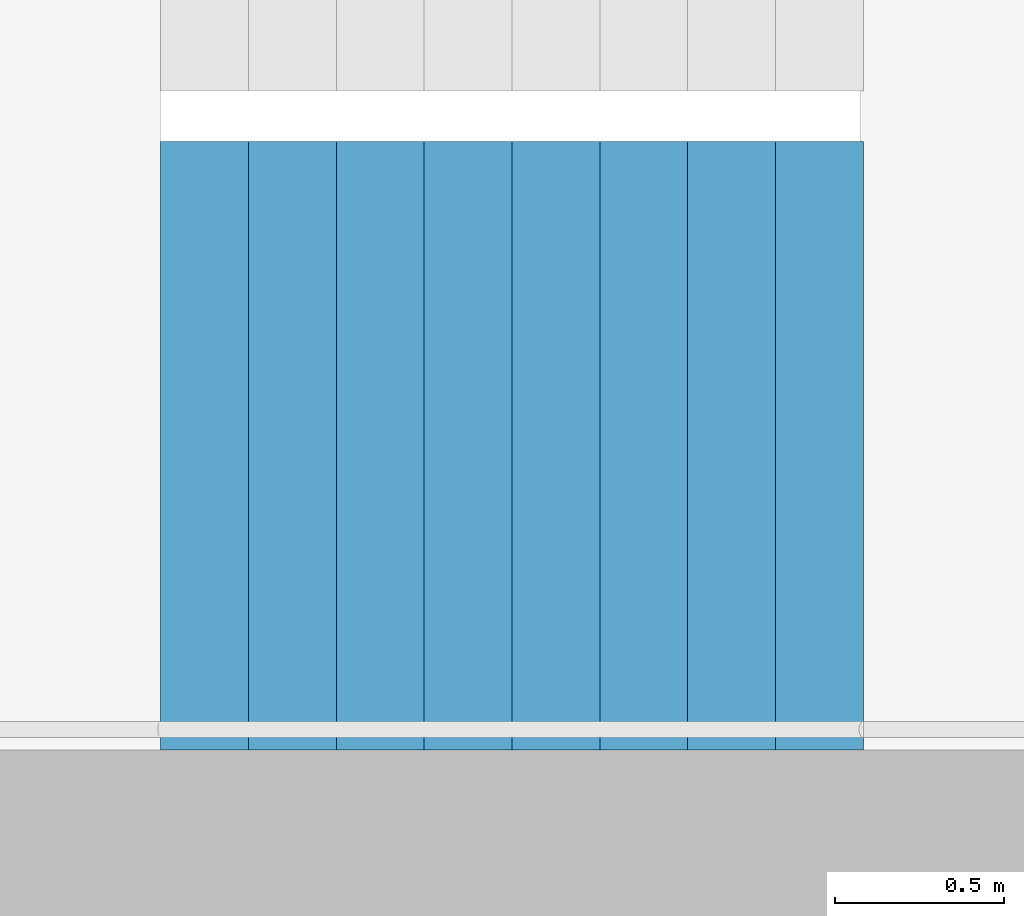
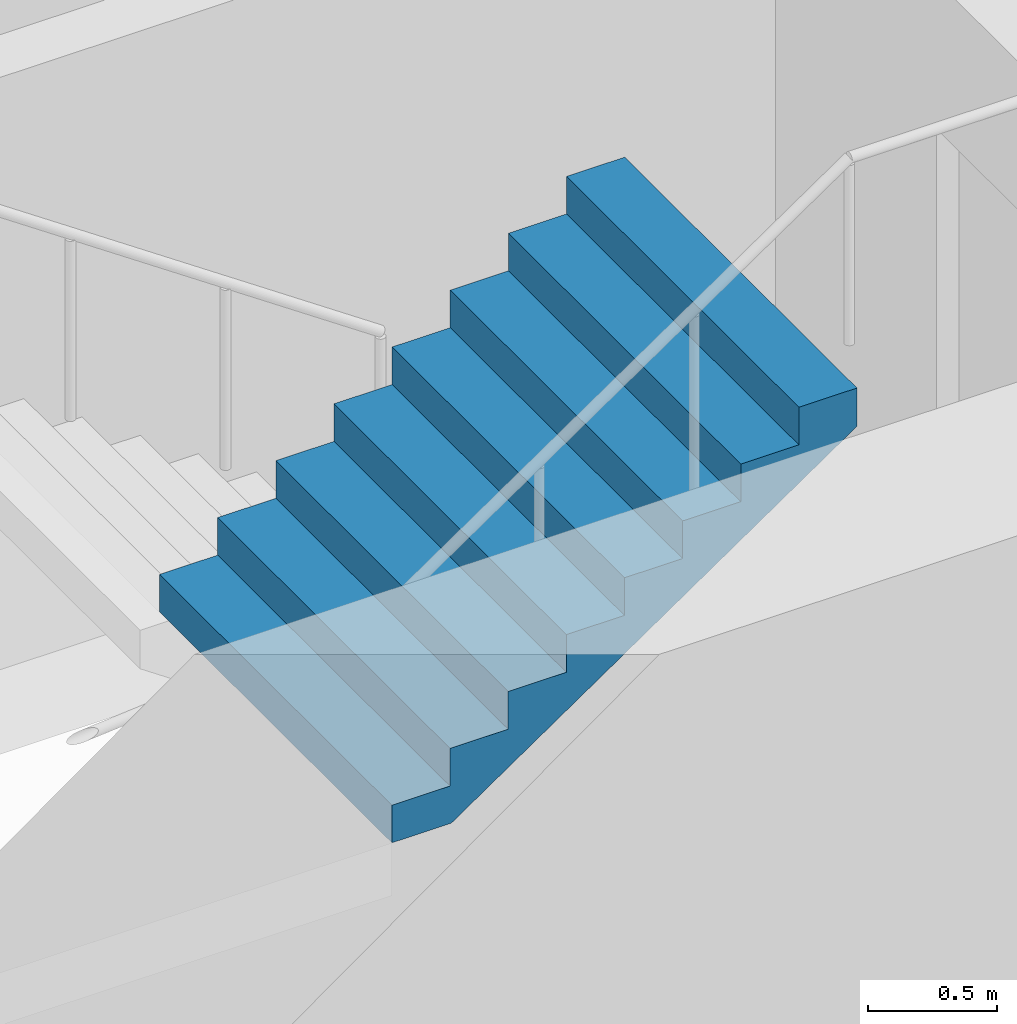
# One storey, part 21 of 36: 1 stair flight, 1 element without a shape of its own.
"""IFC4 building model written with IfcOpenShell, lengths in metres."""

from ifc_helpers import new_model, si_unit, direction, frame, origin, place, context, subcontext, project, spatial, triangles, material, type_object, element, aggregate, save


model = new_model("IFC4")

# Units and contexts
model_context = context("Model", 3, precision=1e-05, world=origin(), true_north=direction((0.0, 1.0)))
body_context = subcontext(model_context, "Body", "Model", "MODEL_VIEW")
ifc_project = project(units=[si_unit("LENGTHUNIT", "METRE"), si_unit("AREAUNIT", "SQUARE_METRE"), si_unit("VOLUMEUNIT", "CUBIC_METRE"), si_unit("PLANEANGLEUNIT", "RADIAN"), si_unit("MASSUNIT", "GRAM", prefix="KILO")], contexts=[model_context])

# Site, building, storey
site_placement = place(None, origin())
site = spatial("IfcSite", under=ifc_project, at=site_placement, CompositionType="ELEMENT")
building_placement = place(site_placement, origin())
building = spatial("IfcBuilding", under=site, at=building_placement, Name="Hakoniwa Tower and Hamabe Station Hall", CompositionType="ELEMENT")
storey_placement = place(building_placement, frame((0.0, 0.0, 26.199951171875)))
storey = spatial("IfcBuildingStorey", under=building, at=storey_placement, Name="L06", CompositionType="ELEMENT", Elevation=26.199951171875)

# Stair, stair flight
ifc_material_1 = material(Name="Concrete C40", Category="concrete")
stair_type = type_object("IfcStairType", Name="ESCAPE STAIR 1800", PredefinedType="HALF_TURN_STAIR", material=ifc_material_1)
stair_placement = place(storey_placement, origin())
stair = element("IfcStair", 1, at=stair_placement, inside=storey, type_object=stair_type, Name="Escape stair ST-2 L06", PredefinedType="HALF_TURN_STAIR")
ifc_material_2 = material(Name="Concrete C40", Category="concrete")
stair_flight_type = type_object("IfcStairFlightType", Name="STAIR FLIGHT 1800", PredefinedType="STRAIGHT", material=ifc_material_2)
stair_flight_placement = place(storey_placement, frame((-25.47998046875, -6.60009765625, 1.60009765625), z_axis=(0.0, 0.0, 1.0), x_axis=(1.0, 0.0, 0.0)))
stair_flight = element("IfcStairFlight", 2, at=stair_flight_placement, type_object=stair_flight_type, Name="ST-2 flight 2", NumberOfRisers=9, NumberOfTreads=8, PredefinedType="STRAIGHT", RiserHeight=0.177777778, TreadLength=0.26, context=body_context, shape_type="Tessellation", body=[
    triangles([(0.0, 0.89990234375, 0.0), (0.260009765625, 0.89990234375, 0.0), (0.265625, 0.89990234375, 0.0), (0.52001953125, 0.89990234375, 0.174072265625), (0.780029296875, 0.89990234375, 0.351806640625), (1.0400390625, 0.89990234375, 0.529541015625), (1.300048828125, 0.89990234375, 0.707275390625), (1.56005859375, 0.89990234375, 0.885009765625), (1.820068359375, 0.89990234375, 1.062744140625), (2.080078125, 0.89990234375, 1.24072265625), (2.080078125, 0.89990234375, 1.422119140625), (1.820068359375, 0.89990234375, 1.422119140625), (1.820068359375, 0.89990234375, 1.244384765625), (1.56005859375, 0.89990234375, 1.244384765625), (1.56005859375, 0.89990234375, 1.066650390625), (1.300048828125, 0.89990234375, 1.066650390625), (1.300048828125, 0.89990234375, 0.888916015625), (1.0400390625, 0.89990234375, 0.888916015625), (1.0400390625, 0.89990234375, 0.711181640625), (0.780029296875, 0.89990234375, 0.711181640625), (0.780029296875, 0.89990234375, 0.533447265625), (0.52001953125, 0.89990234375, 0.533447265625), (0.52001953125, 0.89990234375, 0.35546875), (0.265625, 0.89990234375, 0.35546875), (0.260009765625, 0.89990234375, 0.35546875), (0.260009765625, 0.89990234375, 0.177734375), (0.0, 0.89990234375, 0.177734375), (0.0, 0.06005859375, 0.0), (0.260009765625, 0.06005859375, 0.0), (0.265625, 0.06005859375, 0.0), (0.52001953125, 0.06005859375, 0.174072265625), (0.780029296875, 0.06005859375, 0.351806640625), (1.0400390625, 0.06005859375, 0.529541015625), (1.300048828125, 0.06005859375, 0.707275390625), (1.56005859375, 0.06005859375, 0.885009765625), (1.820068359375, 0.06005859375, 1.062744140625), (2.080078125, 0.06005859375, 1.24072265625), (2.080078125, 0.06005859375, 1.422119140625), (1.820068359375, 0.06005859375, 1.422119140625), (1.820068359375, 0.06005859375, 1.244384765625), (1.56005859375, 0.06005859375, 1.244384765625), (1.56005859375, 0.06005859375, 1.066650390625), (1.300048828125, 0.06005859375, 1.066650390625), (1.300048828125, 0.06005859375, 0.888916015625), (1.0400390625, 0.06005859375, 0.888916015625), (1.0400390625, 0.06005859375, 0.711181640625), (0.780029296875, 0.06005859375, 0.711181640625), (0.780029296875, 0.06005859375, 0.533447265625), (0.52001953125, 0.06005859375, 0.533447265625), (0.52001953125, 0.06005859375, 0.35546875), (0.265625, 0.06005859375, 0.35546875), (0.260009765625, 0.06005859375, 0.35546875), (0.260009765625, 0.06005859375, 0.177734375), (0.0, 0.06005859375, 0.177734375), (0.0, 0.04296875, 0.0), (0.260009765625, 0.04296875, 0.0), (0.265625, 0.04296875, 0.0), (0.52001953125, 0.04296875, 0.174072265625), (0.780029296875, 0.04296875, 0.351806640625), (1.0400390625, 0.04296875, 0.529541015625), (1.300048828125, 0.04296875, 0.707275390625), (1.56005859375, 0.04296875, 0.885009765625), (1.820068359375, 0.04296875, 1.062744140625), (2.080078125, 0.04296875, 1.24072265625), (2.080078125, 0.04296875, 1.422119140625), (1.820068359375, 0.04296875, 1.422119140625), (1.820068359375, 0.04296875, 1.244384765625), (1.56005859375, 0.04296875, 1.244384765625), (1.56005859375, 0.04296875, 1.066650390625), (1.300048828125, 0.04296875, 1.066650390625), (1.300048828125, 0.04296875, 0.888916015625), (1.0400390625, 0.04296875, 0.888916015625), (1.0400390625, 0.04296875, 0.711181640625), (0.780029296875, 0.04296875, 0.711181640625), (0.780029296875, 0.04296875, 0.533447265625), (0.52001953125, 0.04296875, 0.533447265625), (0.52001953125, 0.04296875, 0.35546875), (0.265625, 0.04296875, 0.35546875), (0.260009765625, 0.04296875, 0.35546875), (0.260009765625, 0.04296875, 0.177734375), (0.0, 0.04296875, 0.177734375), (0.0, 0.025634765625, 0.0), (0.260009765625, 0.025634765625, 0.0), (0.265625, 0.025634765625, 0.0), (0.52001953125, 0.025634765625, 0.174072265625), (0.780029296875, 0.025634765625, 0.351806640625), (1.0400390625, 0.025634765625, 0.529541015625), (1.300048828125, 0.025634765625, 0.707275390625), (1.56005859375, 0.025634765625, 0.885009765625), (1.820068359375, 0.025634765625, 1.062744140625), (2.080078125, 0.025634765625, 1.24072265625), (2.080078125, 0.025634765625, 1.422119140625), (1.820068359375, 0.025634765625, 1.422119140625), (1.820068359375, 0.025634765625, 1.244384765625), (1.56005859375, 0.025634765625, 1.244384765625), (1.56005859375, 0.025634765625, 1.066650390625), (1.300048828125, 0.025634765625, 1.066650390625), (1.300048828125, 0.025634765625, 0.888916015625), (1.0400390625, 0.025634765625, 0.888916015625), (1.0400390625, 0.025634765625, 0.711181640625), (0.780029296875, 0.025634765625, 0.711181640625), (0.780029296875, 0.025634765625, 0.533447265625), (0.52001953125, 0.025634765625, 0.533447265625), (0.52001953125, 0.025634765625, 0.35546875), (0.265625, 0.025634765625, 0.35546875), (0.260009765625, 0.025634765625, 0.35546875), (0.260009765625, 0.025634765625, 0.177734375), (0.0, 0.025634765625, 0.177734375), (0.0, 0.008544921875, 0.0), (0.260009765625, 0.008544921875, 0.0), (0.265625, 0.008544921875, 0.0), (0.52001953125, 0.008544921875, 0.174072265625), (0.780029296875, 0.008544921875, 0.351806640625), (1.0400390625, 0.008544921875, 0.529541015625), (1.300048828125, 0.008544921875, 0.707275390625), (1.56005859375, 0.008544921875, 0.885009765625), (1.820068359375, 0.008544921875, 1.062744140625), (2.080078125, 0.008544921875, 1.24072265625), (2.080078125, 0.008544921875, 1.422119140625), (1.820068359375, 0.008544921875, 1.422119140625), (1.820068359375, 0.008544921875, 1.244384765625), (1.56005859375, 0.008544921875, 1.244384765625), (1.56005859375, 0.008544921875, 1.066650390625), (1.300048828125, 0.008544921875, 1.066650390625), (1.300048828125, 0.008544921875, 0.888916015625), (1.0400390625, 0.008544921875, 0.888916015625), (1.0400390625, 0.008544921875, 0.711181640625), (0.780029296875, 0.008544921875, 0.711181640625), (0.780029296875, 0.008544921875, 0.533447265625), (0.52001953125, 0.008544921875, 0.533447265625), (0.52001953125, 0.008544921875, 0.35546875), (0.265625, 0.008544921875, 0.35546875), (0.260009765625, 0.008544921875, 0.35546875), (0.260009765625, 0.008544921875, 0.177734375), (0.0, 0.008544921875, 0.177734375), (0.0, -0.008544921875, 0.0), (0.260009765625, -0.008544921875, 0.0), (0.265625, -0.008544921875, 0.0), (0.52001953125, -0.008544921875, 0.174072265625), (0.780029296875, -0.008544921875, 0.351806640625), (1.0400390625, -0.008544921875, 0.529541015625), (1.300048828125, -0.008544921875, 0.707275390625), (1.56005859375, -0.008544921875, 0.885009765625), (1.820068359375, -0.008544921875, 1.062744140625), (2.080078125, -0.008544921875, 1.24072265625), (2.080078125, -0.008544921875, 1.422119140625), (1.820068359375, -0.008544921875, 1.422119140625), (1.820068359375, -0.008544921875, 1.244384765625), (1.56005859375, -0.008544921875, 1.244384765625), (1.56005859375, -0.008544921875, 1.066650390625), (1.300048828125, -0.008544921875, 1.066650390625), (1.300048828125, -0.008544921875, 0.888916015625), (1.0400390625, -0.008544921875, 0.888916015625), (1.0400390625, -0.008544921875, 0.711181640625), (0.780029296875, -0.008544921875, 0.711181640625), (0.780029296875, -0.008544921875, 0.533447265625), (0.52001953125, -0.008544921875, 0.533447265625), (0.52001953125, -0.008544921875, 0.35546875), (0.265625, -0.008544921875, 0.35546875), (0.260009765625, -0.008544921875, 0.35546875), (0.260009765625, -0.008544921875, 0.177734375), (0.0, -0.008544921875, 0.177734375), (0.0, -0.025634765625, 0.0), (0.260009765625, -0.025634765625, 0.0), (0.265625, -0.025634765625, 0.0), (0.52001953125, -0.025634765625, 0.174072265625), (0.780029296875, -0.025634765625, 0.351806640625), (1.0400390625, -0.025634765625, 0.529541015625), (1.300048828125, -0.025634765625, 0.707275390625), (1.56005859375, -0.025634765625, 0.885009765625), (1.820068359375, -0.025634765625, 1.062744140625), (2.080078125, -0.025634765625, 1.24072265625), (2.080078125, -0.025634765625, 1.422119140625), (1.820068359375, -0.025634765625, 1.422119140625), (1.820068359375, -0.025634765625, 1.244384765625), (1.56005859375, -0.025634765625, 1.244384765625), (1.56005859375, -0.025634765625, 1.066650390625), (1.300048828125, -0.025634765625, 1.066650390625), (1.300048828125, -0.025634765625, 0.888916015625), (1.0400390625, -0.025634765625, 0.888916015625), (1.0400390625, -0.025634765625, 0.711181640625), (0.780029296875, -0.025634765625, 0.711181640625), (0.780029296875, -0.025634765625, 0.533447265625), (0.52001953125, -0.025634765625, 0.533447265625), (0.52001953125, -0.025634765625, 0.35546875), (0.265625, -0.025634765625, 0.35546875), (0.260009765625, -0.025634765625, 0.35546875), (0.260009765625, -0.025634765625, 0.177734375), (0.0, -0.025634765625, 0.177734375), (0.0, -0.04296875, 0.0), (0.260009765625, -0.04296875, 0.0), (0.265625, -0.04296875, 0.0), (0.52001953125, -0.04296875, 0.174072265625), (0.780029296875, -0.04296875, 0.351806640625), (1.0400390625, -0.04296875, 0.529541015625), (1.300048828125, -0.04296875, 0.707275390625), (1.56005859375, -0.04296875, 0.885009765625), (1.820068359375, -0.04296875, 1.062744140625), (2.080078125, -0.04296875, 1.24072265625), (2.080078125, -0.04296875, 1.422119140625), (1.820068359375, -0.04296875, 1.422119140625), (1.820068359375, -0.04296875, 1.244384765625), (1.56005859375, -0.04296875, 1.244384765625), (1.56005859375, -0.04296875, 1.066650390625), (1.300048828125, -0.04296875, 1.066650390625), (1.300048828125, -0.04296875, 0.888916015625), (1.0400390625, -0.04296875, 0.888916015625), (1.0400390625, -0.04296875, 0.711181640625), (0.780029296875, -0.04296875, 0.711181640625), (0.780029296875, -0.04296875, 0.533447265625), (0.52001953125, -0.04296875, 0.533447265625), (0.52001953125, -0.04296875, 0.35546875), (0.265625, -0.04296875, 0.35546875), (0.260009765625, -0.04296875, 0.35546875), (0.260009765625, -0.04296875, 0.177734375), (0.0, -0.04296875, 0.177734375), (0.0, -0.06005859375, 0.0), (0.260009765625, -0.06005859375, 0.0), (0.265625, -0.06005859375, 0.0), (0.52001953125, -0.06005859375, 0.174072265625), (0.780029296875, -0.06005859375, 0.351806640625), (1.0400390625, -0.06005859375, 0.529541015625), (1.300048828125, -0.06005859375, 0.707275390625), (1.56005859375, -0.06005859375, 0.885009765625), (1.820068359375, -0.06005859375, 1.062744140625), (2.080078125, -0.06005859375, 1.24072265625), (2.080078125, -0.06005859375, 1.422119140625), (1.820068359375, -0.06005859375, 1.422119140625), (1.820068359375, -0.06005859375, 1.244384765625), (1.56005859375, -0.06005859375, 1.244384765625), (1.56005859375, -0.06005859375, 1.066650390625), (1.300048828125, -0.06005859375, 1.066650390625), (1.300048828125, -0.06005859375, 0.888916015625), (1.0400390625, -0.06005859375, 0.888916015625), (1.0400390625, -0.06005859375, 0.711181640625), (0.780029296875, -0.06005859375, 0.711181640625), (0.780029296875, -0.06005859375, 0.533447265625), (0.52001953125, -0.06005859375, 0.533447265625), (0.52001953125, -0.06005859375, 0.35546875), (0.265625, -0.06005859375, 0.35546875), (0.260009765625, -0.06005859375, 0.35546875), (0.260009765625, -0.06005859375, 0.177734375), (0.0, -0.06005859375, 0.177734375), (0.0, -0.89990234375, 0.0), (0.260009765625, -0.89990234375, 0.0), (0.265625, -0.89990234375, 0.0), (0.52001953125, -0.89990234375, 0.174072265625), (0.780029296875, -0.89990234375, 0.351806640625), (1.0400390625, -0.89990234375, 0.529541015625), (1.300048828125, -0.89990234375, 0.707275390625), (1.56005859375, -0.89990234375, 0.885009765625), (1.820068359375, -0.89990234375, 1.062744140625), (2.080078125, -0.89990234375, 1.24072265625), (2.080078125, -0.89990234375, 1.422119140625), (1.820068359375, -0.89990234375, 1.422119140625), (1.820068359375, -0.89990234375, 1.244384765625), (1.56005859375, -0.89990234375, 1.244384765625), (1.56005859375, -0.89990234375, 1.066650390625), (1.300048828125, -0.89990234375, 1.066650390625), (1.300048828125, -0.89990234375, 0.888916015625), (1.0400390625, -0.89990234375, 0.888916015625), (1.0400390625, -0.89990234375, 0.711181640625), (0.780029296875, -0.89990234375, 0.711181640625), (0.780029296875, -0.89990234375, 0.533447265625), (0.52001953125, -0.89990234375, 0.533447265625), (0.52001953125, -0.89990234375, 0.35546875), (0.265625, -0.89990234375, 0.35546875), (0.260009765625, -0.89990234375, 0.35546875), (0.260009765625, -0.89990234375, 0.177734375), (0.0, -0.89990234375, 0.177734375)], [[2, 27, 26], [245, 269, 270], [2, 1, 27], [245, 270, 244], [3, 25, 24], [246, 267, 268], [3, 26, 25], [246, 268, 269], [3, 2, 26], [246, 269, 245], [4, 24, 23], [247, 266, 267], [4, 3, 24], [247, 267, 246], [5, 22, 21], [248, 264, 265], [5, 23, 22], [248, 265, 266], [5, 4, 23], [248, 266, 247], [6, 20, 19], [249, 262, 263], [6, 21, 20], [249, 263, 264], [6, 5, 21], [249, 264, 248], [7, 18, 17], [250, 260, 261], [7, 19, 18], [250, 261, 262], [7, 6, 19], [250, 262, 249], [8, 16, 15], [251, 258, 259], [8, 17, 16], [251, 259, 260], [8, 7, 17], [251, 260, 250], [9, 14, 13], [252, 256, 257], [9, 15, 14], [252, 257, 258], [9, 8, 15], [252, 258, 251], [10, 12, 11], [253, 254, 255], [10, 13, 12], [253, 255, 256], [10, 9, 13], [253, 256, 252], [1, 2, 29], [1, 29, 28], [28, 29, 56], [28, 56, 55], [55, 56, 83], [55, 83, 82], [82, 83, 110], [82, 110, 109], [109, 110, 137], [109, 137, 136], [136, 137, 164], [136, 164, 163], [163, 164, 191], [163, 191, 190], [190, 191, 218], [190, 218, 217], [217, 218, 245], [217, 245, 244], [2, 3, 30], [2, 30, 29], [29, 30, 57], [29, 57, 56], [56, 57, 84], [56, 84, 83], [83, 84, 111], [83, 111, 110], [110, 111, 138], [110, 138, 137], [137, 138, 165], [137, 165, 164], [164, 165, 192], [164, 192, 191], [191, 192, 219], [191, 219, 218], [218, 219, 246], [218, 246, 245], [3, 4, 31], [3, 31, 30], [30, 31, 58], [30, 58, 57], [57, 58, 85], [57, 85, 84], [84, 85, 112], [84, 112, 111], [111, 112, 139], [111, 139, 138], [138, 139, 166], [138, 166, 165], [165, 166, 193], [165, 193, 192], [192, 193, 220], [192, 220, 219], [219, 220, 247], [219, 247, 246], [4, 5, 32], [4, 32, 31], [31, 32, 59], [31, 59, 58], [58, 59, 86], [58, 86, 85], [85, 86, 113], [85, 113, 112], [112, 113, 140], [112, 140, 139], [139, 140, 167], [139, 167, 166], [166, 167, 194], [166, 194, 193], [193, 194, 221], [193, 221, 220], [220, 221, 248], [220, 248, 247], [5, 6, 33], [5, 33, 32], [32, 33, 60], [32, 60, 59], [59, 60, 87], [59, 87, 86], [86, 87, 114], [86, 114, 113], [113, 114, 141], [113, 141, 140], [140, 141, 168], [140, 168, 167], [167, 168, 195], [167, 195, 194], [194, 195, 222], [194, 222, 221], [221, 222, 249], [221, 249, 248], [6, 7, 34], [6, 34, 33], [33, 34, 61], [33, 61, 60], [60, 61, 88], [60, 88, 87], [87, 88, 115], [87, 115, 114], [114, 115, 142], [114, 142, 141], [141, 142, 169], [141, 169, 168], [168, 169, 196], [168, 196, 195], [195, 196, 223], [195, 223, 222], [222, 223, 250], [222, 250, 249], [7, 8, 35], [7, 35, 34], [34, 35, 62], [34, 62, 61], [61, 62, 89], [61, 89, 88], [88, 89, 116], [88, 116, 115], [115, 116, 143], [115, 143, 142], [142, 143, 170], [142, 170, 169], [169, 170, 197], [169, 197, 196], [196, 197, 224], [196, 224, 223], [223, 224, 251], [223, 251, 250], [8, 9, 36], [8, 36, 35], [35, 36, 63], [35, 63, 62], [62, 63, 90], [62, 90, 89], [89, 90, 117], [89, 117, 116], [116, 117, 144], [116, 144, 143], [143, 144, 171], [143, 171, 170], [170, 171, 198], [170, 198, 197], [197, 198, 225], [197, 225, 224], [224, 225, 252], [224, 252, 251], [9, 10, 37], [9, 37, 36], [36, 37, 64], [36, 64, 63], [63, 64, 91], [63, 91, 90], [90, 91, 118], [90, 118, 117], [117, 118, 145], [117, 145, 144], [144, 145, 172], [144, 172, 171], [171, 172, 199], [171, 199, 198], [198, 199, 226], [198, 226, 225], [225, 226, 253], [225, 253, 252], [10, 11, 38], [10, 38, 37], [37, 38, 65], [37, 65, 64], [64, 65, 92], [64, 92, 91], [91, 92, 119], [91, 119, 118], [118, 119, 146], [118, 146, 145], [145, 146, 173], [145, 173, 172], [172, 173, 200], [172, 200, 199], [199, 200, 227], [199, 227, 226], [226, 227, 254], [226, 254, 253], [11, 12, 39], [11, 39, 38], [38, 39, 66], [38, 66, 65], [65, 66, 93], [65, 93, 92], [92, 93, 120], [92, 120, 119], [119, 120, 147], [119, 147, 146], [146, 147, 174], [146, 174, 173], [173, 174, 201], [173, 201, 200], [200, 201, 228], [200, 228, 227], [227, 228, 255], [227, 255, 254], [12, 13, 40], [12, 40, 39], [39, 40, 67], [39, 67, 66], [66, 67, 94], [66, 94, 93], [93, 94, 121], [93, 121, 120], [120, 121, 148], [120, 148, 147], [147, 148, 175], [147, 175, 174], [174, 175, 202], [174, 202, 201], [201, 202, 229], [201, 229, 228], [228, 229, 256], [228, 256, 255], [13, 14, 41], [13, 41, 40], [40, 41, 68], [40, 68, 67], [67, 68, 95], [67, 95, 94], [94, 95, 122], [94, 122, 121], [121, 122, 149], [121, 149, 148], [148, 149, 176], [148, 176, 175], [175, 176, 203], [175, 203, 202], [202, 203, 230], [202, 230, 229], [229, 230, 257], [229, 257, 256], [14, 15, 42], [14, 42, 41], [41, 42, 69], [41, 69, 68], [68, 69, 96], [68, 96, 95], [95, 96, 123], [95, 123, 122], [122, 123, 150], [122, 150, 149], [149, 150, 177], [149, 177, 176], [176, 177, 204], [176, 204, 203], [203, 204, 231], [203, 231, 230], [230, 231, 258], [230, 258, 257], [15, 16, 43], [15, 43, 42], [42, 43, 70], [42, 70, 69], [69, 70, 97], [69, 97, 96], [96, 97, 124], [96, 124, 123], [123, 124, 151], [123, 151, 150], [150, 151, 178], [150, 178, 177], [177, 178, 205], [177, 205, 204], [204, 205, 232], [204, 232, 231], [231, 232, 259], [231, 259, 258], [16, 17, 44], [16, 44, 43], [43, 44, 71], [43, 71, 70], [70, 71, 98], [70, 98, 97], [97, 98, 125], [97, 125, 124], [124, 125, 152], [124, 152, 151], [151, 152, 179], [151, 179, 178], [178, 179, 206], [178, 206, 205], [205, 206, 233], [205, 233, 232], [232, 233, 260], [232, 260, 259], [17, 18, 45], [17, 45, 44], [44, 45, 72], [44, 72, 71], [71, 72, 99], [71, 99, 98], [98, 99, 126], [98, 126, 125], [125, 126, 153], [125, 153, 152], [152, 153, 180], [152, 180, 179], [179, 180, 207], [179, 207, 206], [206, 207, 234], [206, 234, 233], [233, 234, 261], [233, 261, 260], [18, 19, 46], [18, 46, 45], [45, 46, 73], [45, 73, 72], [72, 73, 100], [72, 100, 99], [99, 100, 127], [99, 127, 126], [126, 127, 154], [126, 154, 153], [153, 154, 181], [153, 181, 180], [180, 181, 208], [180, 208, 207], [207, 208, 235], [207, 235, 234], [234, 235, 262], [234, 262, 261], [19, 20, 47], [19, 47, 46], [46, 47, 74], [46, 74, 73], [73, 74, 101], [73, 101, 100], [100, 101, 128], [100, 128, 127], [127, 128, 155], [127, 155, 154], [154, 155, 182], [154, 182, 181], [181, 182, 209], [181, 209, 208], [208, 209, 236], [208, 236, 235], [235, 236, 263], [235, 263, 262], [20, 21, 48], [20, 48, 47], [47, 48, 75], [47, 75, 74], [74, 75, 102], [74, 102, 101], [101, 102, 129], [101, 129, 128], [128, 129, 156], [128, 156, 155], [155, 156, 183], [155, 183, 182], [182, 183, 210], [182, 210, 209], [209, 210, 237], [209, 237, 236], [236, 237, 264], [236, 264, 263], [21, 22, 49], [21, 49, 48], [48, 49, 76], [48, 76, 75], [75, 76, 103], [75, 103, 102], [102, 103, 130], [102, 130, 129], [129, 130, 157], [129, 157, 156], [156, 157, 184], [156, 184, 183], [183, 184, 211], [183, 211, 210], [210, 211, 238], [210, 238, 237], [237, 238, 265], [237, 265, 264], [22, 23, 50], [22, 50, 49], [49, 50, 77], [49, 77, 76], [76, 77, 104], [76, 104, 103], [103, 104, 131], [103, 131, 130], [130, 131, 158], [130, 158, 157], [157, 158, 185], [157, 185, 184], [184, 185, 212], [184, 212, 211], [211, 212, 239], [211, 239, 238], [238, 239, 266], [238, 266, 265], [23, 24, 51], [23, 51, 50], [50, 51, 78], [50, 78, 77], [77, 78, 105], [77, 105, 104], [104, 105, 132], [104, 132, 131], [131, 132, 159], [131, 159, 158], [158, 159, 186], [158, 186, 185], [185, 186, 213], [185, 213, 212], [212, 213, 240], [212, 240, 239], [239, 240, 267], [239, 267, 266], [24, 25, 52], [24, 52, 51], [51, 52, 79], [51, 79, 78], [78, 79, 106], [78, 106, 105], [105, 106, 133], [105, 133, 132], [132, 133, 160], [132, 160, 159], [159, 160, 187], [159, 187, 186], [186, 187, 214], [186, 214, 213], [213, 214, 241], [213, 241, 240], [240, 241, 268], [240, 268, 267], [25, 26, 53], [25, 53, 52], [52, 53, 80], [52, 80, 79], [79, 80, 107], [79, 107, 106], [106, 107, 134], [106, 134, 133], [133, 134, 161], [133, 161, 160], [160, 161, 188], [160, 188, 187], [187, 188, 215], [187, 215, 214], [214, 215, 242], [214, 242, 241], [241, 242, 269], [241, 269, 268], [26, 27, 54], [26, 54, 53], [53, 54, 81], [53, 81, 80], [80, 81, 108], [80, 108, 107], [107, 108, 135], [107, 135, 134], [134, 135, 162], [134, 162, 161], [161, 162, 189], [161, 189, 188], [188, 189, 216], [188, 216, 215], [215, 216, 243], [215, 243, 242], [242, 243, 270], [242, 270, 269], [27, 1, 28], [27, 28, 54], [54, 28, 55], [54, 55, 81], [81, 55, 82], [81, 82, 108], [108, 82, 109], [108, 109, 135], [135, 109, 136], [135, 136, 162], [162, 136, 163], [162, 163, 189], [189, 163, 190], [189, 190, 216], [216, 190, 217], [216, 217, 243], [243, 217, 244], [243, 244, 270]], closed=True),
])
aggregate(stair, [stair_flight])

save(model, "model.ifc")
